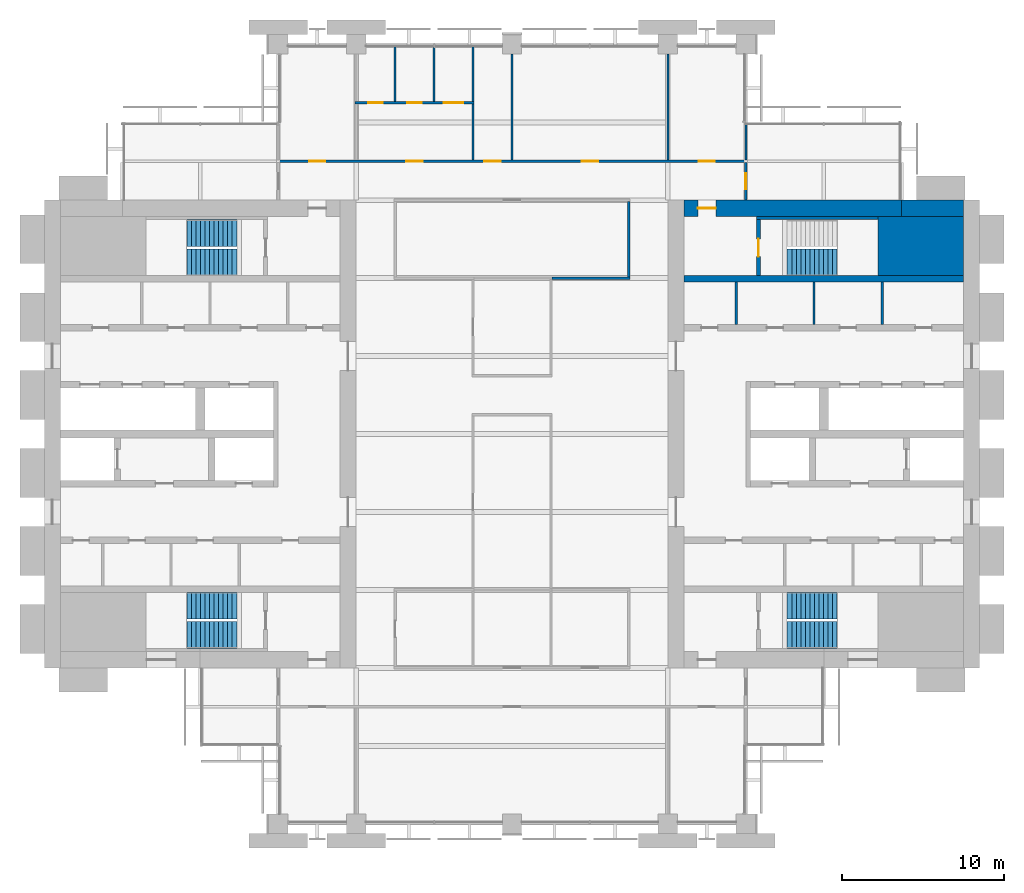
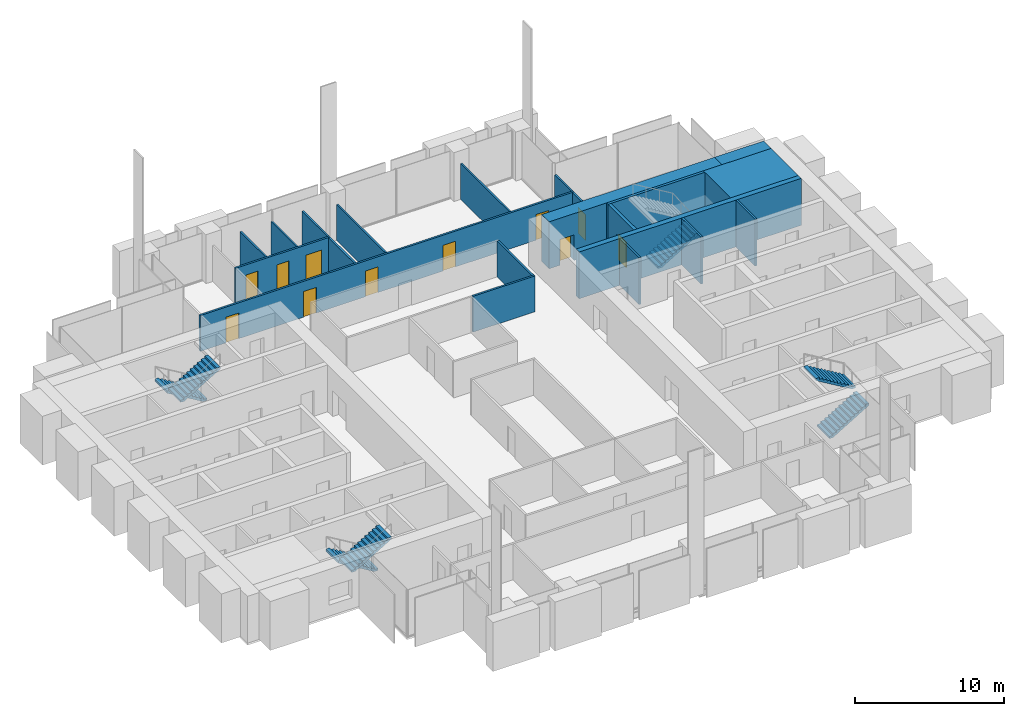
# One storey, part 12 of 14: 21 walls, 11 doors, 7 stair flights, 11 openings, 4 elements without a shape of their own.
"""IFC4 building model written with IfcOpenShell, lengths in metres."""

from ifc_helpers import new_model, si_unit, direction, frame, frame_2d, origin, place, context, subcontext, project, spatial, polyline, rectangle, outline, extrude, material, layer, layer_set, type_object, element, fill, aggregate, save


model = new_model("IFC4")

# Units and contexts
model_context = context("Model", 3, precision=1e-05, world=origin(), true_north=direction((0.0, 1.0)))
body_context = subcontext(model_context, "Body", "Model", "MODEL_VIEW")
ifc_project = project(units=[si_unit("LENGTHUNIT", "METRE"), si_unit("AREAUNIT", "SQUARE_METRE"), si_unit("VOLUMEUNIT", "CUBIC_METRE"), si_unit("PLANEANGLEUNIT", "RADIAN"), si_unit("MASSUNIT", "GRAM", prefix="KILO")], contexts=[model_context])

# Site, building, storey
site_placement = place(None, origin())
site = spatial("IfcSite", under=ifc_project, at=site_placement, CompositionType="ELEMENT")
building_placement = place(site_placement, origin())
building = spatial("IfcBuilding", under=site, at=building_placement, Name="Baori Bourse Tower", CompositionType="ELEMENT")
storey_placement = place(building_placement, frame((0.0, 0.0, 132.10009765625)))
storey = spatial("IfcBuildingStorey", under=building, at=storey_placement, Name="L28", CompositionType="ELEMENT", Elevation=132.10009765625)

# Walls
ifc_material_1 = material(Name="Concrete f'c 60 MPa", Category="concrete")
wall_type_1 = type_object("IfcWallType", Name="Core corner block f'c 60", PredefinedType="SHEAR", material=ifc_material_1)
wall_1_placement = place(storey_placement, frame((51.35009765625, 35.574951171875, 0.0), z_axis=(0.0, 0.0, 1.0), x_axis=(1.0, 0.0, 0.0)))
element("IfcWall", 1, at=wall_1_placement, inside=storey, type_object=wall_type_1, Name="Core wall E26", PredefinedType="SHEAR", context=body_context, shape_type="SweptSolid", body=[
    extrude(rectangle(XDim=5.25, YDim=3.64990234375, at=frame_2d((2.625, 0.0))), origin(), (0.0, 0.0, 1.0), 3.83984375),
])
ifc_material_2 = material(Name="Blockwork partition", Category="masonry")
ifc_layer_1 = layer(ifc_material_2, 0.14990234375)
ifc_layer_set_1 = layer_set([ifc_layer_1], Name="Core partition 150")
wall_type_2 = type_object("IfcWallType", Name="Core partition 150", PredefinedType="PARTITIONING", material=ifc_layer_set_1)
for number, where, z_axis, x_axis, name in (
    (2, (51.60009765625, 30.75, 0.0), (0.0, 0.0, 1.0), (0.0, 1.0, 0.0), "Partition wall E22"),
    (3, (47.39990234375, 30.75, 0.0), (0.0, 0.0, 1.0), (0.0, 1.0, 0.0), "Partition wall E23"),
    (4, (42.60009765625, 30.75, 0.0), (0.0, 0.0, 1.0), (0.0, 1.0, 0.0), "Partition wall E24"),
):
    element("IfcWall", number, at=place(storey_placement, frame(where, z_axis=z_axis, x_axis=x_axis)), inside=storey, type_object=wall_type_2, Name=name, PredefinedType="PARTITIONING", context=body_context, shape_type="SweptSolid", body=[
        extrude(rectangle(XDim=2.60009765625, YDim=0.14990234375, at=frame_2d((1.300048828125, 0.0))), origin(), (0.0, 0.0, 1.0), 3.83984375),
    ])
ifc_material_3 = material(Name="Concrete f'c 60 MPa", Category="concrete")
ifc_layer_2 = layer(ifc_material_3, 1.0)
ifc_layer_set_2 = layer_set([ifc_layer_2], Name="Core wall 1000 f'c 60")
wall_type_3 = type_object("IfcWallType", Name="Core wall 1000 f'c 60", PredefinedType="SHEAR", material=ifc_layer_set_2)
wall_2_placement = place(storey_placement, frame((52.800048828125, 37.89990234375, 0.0), z_axis=(0.0, 0.0, 1.0), x_axis=(1.0, 0.0, 0.0)))
element("IfcWall", 5, at=wall_2_placement, inside=storey, type_object=wall_type_3, Name="Core wall E29", PredefinedType="SHEAR", context=body_context, shape_type="SweptSolid", body=[
    extrude(rectangle(XDim=3.800048828125, YDim=1.0, at=frame_2d((1.89990234375, 0.0))), origin(), (0.0, 0.0, 1.0), 3.83984375),
])

# Wall, opening, door
wall_3_placement = place(storey_placement, frame((39.39990234375, 37.89990234375, 0.0), z_axis=(0.0, 0.0, 1.0), x_axis=(1.0, 0.0, 0.0)))
wall_3 = element("IfcWall", 6, at=wall_3_placement, inside=storey, type_object=wall_type_3, Name="Core wall E30", PredefinedType="SHEAR", context=body_context, shape_type="SweptSolid", body=[
    extrude(rectangle(XDim=13.400146484375, YDim=1.0, at=frame_2d((6.7001953125, 0.0))), origin(), (0.0, 0.0, 1.0), 3.83984375),
])
opening_1_placement = place(wall_3_placement, frame((0.85009765625, 0.0, 0.0)))
opening_1 = element("IfcOpeningElement", 7, at=opening_1_placement, cuts=wall_3, Name="Opening L28-D204", PredefinedType="OPENING", context=body_context, shape_type="SweptSolid", body=[
    extrude(rectangle(XDim=1.10009765625, YDim=2.10009765625, at=frame_2d((0.550048828125, 1.050048828125))), frame((0.0, 0.510009765625, 0.0), z_axis=(0.0, -1.0, 0.0), x_axis=(1.0, 0.0, 0.0)), (0.0, 0.0, 1.0), 1.02001953125),
])
ifc_material_4 = material(Name="Painted steel door", Category="steel")
door_type_1 = type_object("IfcDoorType", Name="Stair door 1100", OperationType="SINGLE_SWING_LEFT", PredefinedType="DOOR", material=ifc_material_4)
door_1_placement = place(opening_1_placement, origin())
door_1 = element("IfcDoor", 8, at=door_1_placement, inside=storey, type_object=door_type_1, Name="Stair vestibule door B E L28", OperationType="SINGLE_SWING_LEFT", OverallHeight=2.10009765625, OverallWidth=1.10009765625, PredefinedType="DOOR", context=body_context, shape_type="SweptSolid", body=[
    extrude(rectangle(XDim=1.10009765625, YDim=2.10009765625, at=frame_2d((0.550048828125, 1.050048828125))), frame((0.0, 0.02490234375, 0.0), z_axis=(0.0, -1.0, 0.0), x_axis=(1.0, 0.0, 0.0)), (0.0, 0.0, 1.0), 0.050048828125),
])
fill(opening_1, door_1)

# Wall
ifc_material_5 = material(Name="Gypsum board partition")
ifc_layer_3 = layer(ifc_material_5, 0.14990234375)
ifc_layer_set_3 = layer_set([ifc_layer_3], Name="Corridor partition 150")
wall_type_4 = type_object("IfcWallType", Name="Corridor partition 150", PredefinedType="PARTITIONING", material=ifc_layer_set_3)
wall_4_placement = place(storey_placement, frame((31.27490234375, 33.60009765625, 0.0), z_axis=(0.0, 0.0, 1.0), x_axis=(1.0, 0.0, 0.0)))
element("IfcWall", 9, at=wall_4_placement, inside=storey, type_object=wall_type_4, Name="Partition", PredefinedType="PARTITIONING", context=body_context, shape_type="SweptSolid", body=[
    extrude(rectangle(XDim=4.800048828125, YDim=0.14990234375, at=frame_2d((2.39990234375, 0.0))), origin(), (0.0, 0.0, 1.0), 2.935546875),
])

# Wall, openings, doors
wall_5_placement = place(storey_placement, frame((14.324951171875, 40.800048828125, 0.0), z_axis=(0.0, 0.0, 1.0), x_axis=(1.0, 0.0, 0.0)))
wall_5 = element("IfcWall", 10, at=wall_5_placement, inside=storey, type_object=wall_type_4, Name="Partition", PredefinedType="PARTITIONING", context=body_context, shape_type="SweptSolid", body=[
    extrude(rectangle(XDim=28.949951171875, YDim=0.14990234375, at=frame_2d((14.47509765625, 0.0))), origin(), (0.0, 0.0, 1.0), 2.935546875),
])
opening_2_placement = place(wall_5_placement, frame((1.97509765625, 0.0, 0.0)))
opening_2 = element("IfcOpeningElement", 11, at=opening_2_placement, cuts=wall_5, Name="Opening L28-D07", PredefinedType="OPENING", context=body_context, shape_type="SweptSolid", body=[
    extrude(rectangle(XDim=1.0, YDim=2.10009765625, at=frame_2d((0.5, 1.050048828125))), frame((0.0, 0.0849609375, 0.0), z_axis=(0.0, -1.0, 0.0), x_axis=(1.0, 0.0, 0.0)), (0.0, 0.0, 1.0), 0.169921875),
])
opening_3_placement = place(wall_5_placement, frame((7.97509765625, 0.0, 0.0)))
opening_3 = element("IfcOpeningElement", 12, at=opening_3_placement, cuts=wall_5, Name="Opening L28-D08", PredefinedType="OPENING", context=body_context, shape_type="SweptSolid", body=[
    extrude(rectangle(XDim=1.0, YDim=2.10009765625, at=frame_2d((0.5, 1.050048828125))), frame((0.0, 0.0849609375, 0.0), z_axis=(0.0, -1.0, 0.0), x_axis=(1.0, 0.0, 0.0)), (0.0, 0.0, 1.0), 0.169921875),
])
opening_4_placement = place(wall_5_placement, frame((12.77490234375, 0.0, 0.0)))
opening_4 = element("IfcOpeningElement", 13, at=opening_4_placement, cuts=wall_5, Name="Opening L28-D09", PredefinedType="OPENING", context=body_context, shape_type="SweptSolid", body=[
    extrude(rectangle(XDim=1.0, YDim=2.10009765625, at=frame_2d((0.5, 1.050048828125))), frame((0.0, 0.0849609375, 0.0), z_axis=(0.0, -1.0, 0.0), x_axis=(1.0, 0.0, 0.0)), (0.0, 0.0, 1.0), 0.169921875),
])
opening_5_placement = place(wall_5_placement, frame((18.77490234375, 0.0, 0.0)))
opening_5 = element("IfcOpeningElement", 14, at=opening_5_placement, cuts=wall_5, Name="Opening L28-D10", PredefinedType="OPENING", context=body_context, shape_type="SweptSolid", body=[
    extrude(rectangle(XDim=1.0, YDim=2.10009765625, at=frame_2d((0.5, 1.050048828125))), frame((0.0, 0.0849609375, 0.0), z_axis=(0.0, -1.0, 0.0), x_axis=(1.0, 0.0, 0.0)), (0.0, 0.0, 1.0), 0.169921875),
])
opening_6_placement = place(wall_5_placement, frame((25.97509765625, 0.0, 0.0)))
opening_6 = element("IfcOpeningElement", 15, at=opening_6_placement, cuts=wall_5, Name="Opening L28-D11", PredefinedType="OPENING", context=body_context, shape_type="SweptSolid", body=[
    extrude(rectangle(XDim=1.0, YDim=2.10009765625, at=frame_2d((0.5, 1.050048828125))), frame((0.0, 0.0849609375, 0.0), z_axis=(0.0, -1.0, 0.0), x_axis=(1.0, 0.0, 0.0)), (0.0, 0.0, 1.0), 0.169921875),
])
ifc_material_6 = material(Name="Timber door leaf", Category="wood")
door_type_2 = type_object("IfcDoorType", Name="Door 1000 x 2100", OperationType="SINGLE_SWING_LEFT", PredefinedType="DOOR", material=ifc_material_6)
door_2_placement = place(opening_2_placement, origin())
door_2 = element("IfcDoor", 16, at=door_2_placement, inside=storey, type_object=door_type_2, Name="Door", OperationType="SINGLE_SWING_RIGHT", OverallHeight=2.10009765625, OverallWidth=1.0, PredefinedType="DOOR", context=body_context, shape_type="SweptSolid", body=[
    extrude(rectangle(XDim=1.0, YDim=2.10009765625, at=frame_2d((0.5, 1.050048828125))), frame((0.0, 0.02490234375, 0.0), z_axis=(0.0, -1.0, 0.0), x_axis=(1.0, 0.0, 0.0)), (0.0, 0.0, 1.0), 0.050048828125),
])
fill(opening_2, door_2)
door_3_placement = place(opening_3_placement, origin())
door_3 = element("IfcDoor", 17, at=door_3_placement, inside=storey, type_object=door_type_2, Name="Door", OperationType="SINGLE_SWING_LEFT", OverallHeight=2.10009765625, OverallWidth=1.0, PredefinedType="DOOR", context=body_context, shape_type="SweptSolid", body=[
    extrude(rectangle(XDim=1.0, YDim=2.10009765625, at=frame_2d((0.5, 1.050048828125))), frame((0.0, 0.02490234375, 0.0), z_axis=(0.0, -1.0, 0.0), x_axis=(1.0, 0.0, 0.0)), (0.0, 0.0, 1.0), 0.050048828125),
])
fill(opening_3, door_3)
door_4_placement = place(opening_4_placement, origin())
door_4 = element("IfcDoor", 18, at=door_4_placement, inside=storey, type_object=door_type_2, Name="Door", OperationType="SINGLE_SWING_RIGHT", OverallHeight=2.10009765625, OverallWidth=1.0, PredefinedType="DOOR", context=body_context, shape_type="SweptSolid", body=[
    extrude(rectangle(XDim=1.0, YDim=2.10009765625, at=frame_2d((0.5, 1.050048828125))), frame((0.0, 0.02490234375, 0.0), z_axis=(0.0, -1.0, 0.0), x_axis=(1.0, 0.0, 0.0)), (0.0, 0.0, 1.0), 0.050048828125),
])
fill(opening_4, door_4)
door_5_placement = place(opening_5_placement, origin())
door_5 = element("IfcDoor", 19, at=door_5_placement, inside=storey, type_object=door_type_2, Name="Door", OperationType="SINGLE_SWING_LEFT", OverallHeight=2.10009765625, OverallWidth=1.0, PredefinedType="DOOR", context=body_context, shape_type="SweptSolid", body=[
    extrude(rectangle(XDim=1.0, YDim=2.10009765625, at=frame_2d((0.5, 1.050048828125))), frame((0.0, 0.02490234375, 0.0), z_axis=(0.0, -1.0, 0.0), x_axis=(1.0, 0.0, 0.0)), (0.0, 0.0, 1.0), 0.050048828125),
])
fill(opening_5, door_5)
door_6_placement = place(opening_6_placement, origin())
door_6 = element("IfcDoor", 20, at=door_6_placement, inside=storey, type_object=door_type_2, Name="Door", OperationType="SINGLE_SWING_LEFT", OverallHeight=2.10009765625, OverallWidth=1.0, PredefinedType="DOOR", context=body_context, shape_type="SweptSolid", body=[
    extrude(rectangle(XDim=1.0, YDim=2.10009765625, at=frame_2d((0.5, 1.050048828125))), frame((0.0, 0.02490234375, 0.0), z_axis=(0.0, -1.0, 0.0), x_axis=(1.0, 0.0, 0.0)), (0.0, 0.0, 1.0), 0.050048828125),
])
fill(opening_6, door_6)

wall_6_placement = place(storey_placement, frame((19.125, 44.39990234375, 0.0), z_axis=(0.0, 0.0, 1.0), x_axis=(1.0, 0.0, 0.0)))
wall_6 = element("IfcWall", 21, at=wall_6_placement, inside=storey, type_object=wall_type_4, Name="Partition", PredefinedType="PARTITIONING", context=body_context, shape_type="SweptSolid", body=[
    extrude(rectangle(XDim=7.35009765625, YDim=0.14990234375, at=frame_2d((3.675048828125, 0.0))), origin(), (0.0, 0.0, 1.0), 2.935546875),
])
opening_7_placement = place(wall_6_placement, frame((0.824951171875, 0.0, 0.0)))
opening_7 = element("IfcOpeningElement", 22, at=opening_7_placement, cuts=wall_6, Name="Opening L28-D12", PredefinedType="OPENING", context=body_context, shape_type="SweptSolid", body=[
    extrude(rectangle(XDim=0.89990234375, YDim=2.10009765625, at=frame_2d((0.449951171875, 1.050048828125))), frame((0.0, 0.0849609375, 0.0), z_axis=(0.0, -1.0, 0.0), x_axis=(1.0, 0.0, 0.0)), (0.0, 0.0, 1.0), 0.169921875),
])
opening_8_placement = place(wall_6_placement, frame((3.22509765625, 0.0, 0.0)))
opening_8 = element("IfcOpeningElement", 23, at=opening_8_placement, cuts=wall_6, Name="Opening L28-D13", PredefinedType="OPENING", context=body_context, shape_type="SweptSolid", body=[
    extrude(rectangle(XDim=0.89990234375, YDim=2.10009765625, at=frame_2d((0.449951171875, 1.050048828125))), frame((0.0, 0.0849609375, 0.0), z_axis=(0.0, -1.0, 0.0), x_axis=(1.0, 0.0, 0.0)), (0.0, 0.0, 1.0), 0.169921875),
])
opening_9_placement = place(wall_6_placement, frame((5.47509765625, 0.0, 0.0)))
opening_9 = element("IfcOpeningElement", 24, at=opening_9_placement, cuts=wall_6, Name="Opening L28-D14", PredefinedType="OPENING", context=body_context, shape_type="SweptSolid", body=[
    extrude(rectangle(XDim=1.199951171875, YDim=2.10009765625, at=frame_2d((0.60009765625, 1.050048828125))), frame((0.0, 0.0849609375, 0.0), z_axis=(0.0, -1.0, 0.0), x_axis=(1.0, 0.0, 0.0)), (0.0, 0.0, 1.0), 0.169921875),
])
ifc_material_7 = material(Name="Timber door leaf", Category="wood")
door_type_3 = type_object("IfcDoorType", Name="Door 1200 x 2100", OperationType="SINGLE_SWING_LEFT", PredefinedType="DOOR", material=ifc_material_7)
door_7_placement = place(opening_9_placement, origin())
door_7 = element("IfcDoor", 25, at=door_7_placement, inside=storey, type_object=door_type_3, Name="Door", OperationType="SINGLE_SWING_LEFT", OverallHeight=2.10009765625, OverallWidth=1.199951171875, PredefinedType="DOOR", context=body_context, shape_type="SweptSolid", body=[
    extrude(rectangle(XDim=1.199951171875, YDim=2.10009765625, at=frame_2d((0.60009765625, 1.050048828125))), frame((0.0, 0.02490234375, 0.0), z_axis=(0.0, -1.0, 0.0), x_axis=(1.0, 0.0, 0.0)), (0.0, 0.0, 1.0), 0.050048828125),
])
fill(opening_9, door_7)
ifc_material_8 = material(Name="Timber door leaf", Category="wood")
door_type_4 = type_object("IfcDoorType", Name="Door 900 x 2100", OperationType="SINGLE_SWING_LEFT", PredefinedType="DOOR", material=ifc_material_8)
door_8_placement = place(opening_7_placement, origin())
door_8 = element("IfcDoor", 26, at=door_8_placement, inside=storey, type_object=door_type_4, Name="Door", OperationType="SINGLE_SWING_RIGHT", OverallHeight=2.10009765625, OverallWidth=0.89990234375, PredefinedType="DOOR", context=body_context, shape_type="SweptSolid", body=[
    extrude(rectangle(XDim=0.89990234375, YDim=2.10009765625, at=frame_2d((0.449951171875, 1.050048828125))), frame((0.0, 0.02490234375, 0.0), z_axis=(0.0, -1.0, 0.0), x_axis=(1.0, 0.0, 0.0)), (0.0, 0.0, 1.0), 0.050048828125),
])
fill(opening_7, door_8)
door_9_placement = place(opening_8_placement, origin())
door_9 = element("IfcDoor", 27, at=door_9_placement, inside=storey, type_object=door_type_4, Name="Door", OperationType="SINGLE_SWING_RIGHT", OverallHeight=2.10009765625, OverallWidth=0.89990234375, PredefinedType="DOOR", context=body_context, shape_type="SweptSolid", body=[
    extrude(rectangle(XDim=0.89990234375, YDim=2.10009765625, at=frame_2d((0.449951171875, 1.050048828125))), frame((0.0, 0.02490234375, 0.0), z_axis=(0.0, -1.0, 0.0), x_axis=(1.0, 0.0, 0.0)), (0.0, 0.0, 1.0), 0.050048828125),
])
fill(opening_8, door_9)

# Walls
wall_7_placement = place(storey_placement, frame((26.39990234375, 40.875, 0.0), z_axis=(0.0, 0.0, 1.0), x_axis=(0.0, 1.0, 0.0)))
element("IfcWall", 28, at=wall_7_placement, inside=storey, type_object=wall_type_4, Name="Partition", PredefinedType="PARTITIONING", context=body_context, shape_type="SweptSolid", body=[
    extrude(rectangle(XDim=3.449951171875, YDim=0.14990234375, at=frame_2d((1.72509765625, 0.0))), origin(), (0.0, 0.0, 1.0), 2.935546875),
])
wall_8_placement = place(storey_placement, frame((36.0, 33.675048828125, 0.0), z_axis=(0.0, 0.0, 1.0), x_axis=(0.0, 1.0, 0.0)))
element("IfcWall", 29, at=wall_8_placement, inside=storey, type_object=wall_type_4, Name="Partition", PredefinedType="PARTITIONING", context=body_context, shape_type="SweptSolid", body=[
    extrude(rectangle(XDim=4.64990234375, YDim=0.14990234375, at=frame_2d((2.324951171875, 0.0))), origin(), (0.0, 0.0, 1.0), 2.935546875),
])

# Wall, opening, door
wall_9_placement = place(storey_placement, frame((43.199951171875, 38.39990234375, 0.0), z_axis=(0.0, 0.0, 1.0), x_axis=(0.0, 1.0, 0.0)))
wall_9 = element("IfcWall", 30, at=wall_9_placement, inside=storey, type_object=wall_type_4, Name="Partition", PredefinedType="PARTITIONING", context=body_context, shape_type="SweptSolid", body=[
    extrude(rectangle(XDim=2.3251953125, YDim=0.14990234375, at=frame_2d((1.16259765625, 0.0))), origin(), (0.0, 0.0, 1.0), 2.935546875),
])
opening_10_placement = place(wall_9_placement, frame((0.66259765625, 0.0, 0.0)))
opening_10 = element("IfcOpeningElement", 31, at=opening_10_placement, cuts=wall_9, Name="Opening L28-D21", PredefinedType="OPENING", context=body_context, shape_type="SweptSolid", body=[
    extrude(rectangle(XDim=1.0, YDim=2.10009765625, at=frame_2d((0.5, 1.050048828125))), frame((0.0, 0.0849609375, 0.0), z_axis=(0.0, -1.0, 0.0), x_axis=(1.0, 0.0, 0.0)), (0.0, 0.0, 1.0), 0.169921875),
])
door_10_placement = place(opening_10_placement, origin())
door_10 = element("IfcDoor", 32, at=door_10_placement, inside=storey, type_object=door_type_2, Name="Door", OperationType="SINGLE_SWING_LEFT", OverallHeight=2.10009765625, OverallWidth=1.0, PredefinedType="DOOR", context=body_context, shape_type="SweptSolid", body=[
    extrude(rectangle(XDim=1.0, YDim=2.10009765625, at=frame_2d((0.5, 1.050048828125))), frame((0.0, 0.02490234375, 0.0), z_axis=(0.0, -1.0, 0.0), x_axis=(1.0, 0.0, 0.0)), (0.0, 0.0, 1.0), 0.050048828125),
])
fill(opening_10, door_10)

# Walls
ifc_material_9 = material(Name="Gypsum board partition")
ifc_layer_4 = layer(ifc_material_9, 0.125)
ifc_layer_set_4 = layer_set([ifc_layer_4], Name="Partition 125")
wall_type_5 = type_object("IfcWallType", Name="Partition 125", PredefinedType="PARTITIONING", material=ifc_layer_set_4)
for number, where, z_axis, x_axis, name in (
    (33, (21.60009765625, 44.47509765625, 0.0), (0.0, 0.0, 1.0), (0.0, 1.0, 0.0), "Partition"),
    (34, (24.0, 44.47509765625, 0.0), (0.0, 0.0, 1.0), (0.0, 1.0, 0.0), "Partition"),
    (35, (26.39990234375, 44.47509765625, 0.0), (0.0, 0.0, 1.0), (0.0, 1.0, 0.0), "Partition"),
):
    element("IfcWall", number, at=place(storey_placement, frame(where, z_axis=z_axis, x_axis=x_axis)), inside=storey, type_object=wall_type_5, Name=name, PredefinedType="PARTITIONING", context=body_context, shape_type="SweptSolid", body=[
        extrude(rectangle(XDim=3.4248046875, YDim=0.125, at=frame_2d((1.71240234375, 0.0))), origin(), (0.0, 0.0, 1.0), 2.935546875),
    ])
for number, where, z_axis, x_axis, name in (
    (36, (28.800048828125, 40.875, 0.0), (0.0, 0.0, 1.0), (0.0, 1.0, 0.0), "Partition"),
    (37, (38.39990234375, 40.875, 0.0), (0.0, 0.0, 1.0), (0.0, 1.0, 0.0), "Partition"),
):
    element("IfcWall", number, at=place(storey_placement, frame(where, z_axis=z_axis, x_axis=x_axis)), inside=storey, type_object=wall_type_5, Name=name, PredefinedType="PARTITIONING", context=body_context, shape_type="SweptSolid", body=[
        extrude(rectangle(XDim=6.52490234375, YDim=0.125, at=frame_2d((3.262451171875, 0.0))), origin(), (0.0, 0.0, 1.0), 2.935546875),
    ])
wall_10_placement = place(storey_placement, frame((43.199951171875, 40.875, 0.0), z_axis=(0.0, 0.0, 1.0), x_axis=(0.0, 1.0, 0.0)))
element("IfcWall", 38, at=wall_10_placement, inside=storey, type_object=wall_type_5, Name="Partition", PredefinedType="PARTITIONING", context=body_context, shape_type="SweptSolid", body=[
    extrude(rectangle(XDim=2.22509765625, YDim=0.125, at=frame_2d((1.112548828125, 0.0))), origin(), (0.0, 0.0, 1.0), 2.935546875),
])
ifc_material_10 = material(Name="Concrete f'c 60 MPa", Category="concrete")
ifc_layer_5 = layer(ifc_material_10, 0.199951171875)
ifc_layer_set_5 = layer_set([ifc_layer_5], Name="Shaft wall 200 f'c 60")
wall_type_6 = type_object("IfcWallType", Name="Shaft wall 200 f'c 60", PredefinedType="SHEAR", material=ifc_layer_set_5)
wall_11_placement = place(storey_placement, frame((43.85009765625, 37.300048828125, 0.0), z_axis=(0.0, 0.0, 1.0), x_axis=(1.0, 0.0, 0.0)))
element("IfcWall", 39, at=wall_11_placement, inside=storey, type_object=wall_type_6, Name="Core wall E28", PredefinedType="SHEAR", context=body_context, shape_type="SweptSolid", body=[
    extrude(rectangle(XDim=7.5, YDim=0.199951171875, at=frame_2d((3.75, 0.0))), origin(), (0.0, 0.0, 1.0), 3.83984375),
])

# Wall, opening, door
ifc_material_11 = material(Name="Concrete f'c 60 MPa", Category="concrete")
ifc_layer_6 = layer(ifc_material_11, 0.25)
ifc_layer_set_6 = layer_set([ifc_layer_6], Name="Shaft wall 250 f'c 60")
wall_type_7 = type_object("IfcWallType", Name="Shaft wall 250 f'c 60", PredefinedType="SHEAR", material=ifc_layer_set_6)
wall_12_placement = place(storey_placement, frame((43.97509765625, 33.75, 0.0), z_axis=(0.0, 0.0, 1.0), x_axis=(0.0, 1.0, 0.0)))
wall_12 = element("IfcWall", 40, at=wall_12_placement, inside=storey, type_object=wall_type_7, Name="Core wall E27", PredefinedType="SHEAR", context=body_context, shape_type="SweptSolid", body=[
    extrude(rectangle(XDim=3.449951171875, YDim=0.25, at=frame_2d((1.72509765625, 0.0))), origin(), (0.0, 0.0, 1.0), 3.83984375),
])
opening_11_placement = place(wall_12_placement, frame((1.175048828125, 0.0, 0.0)))
opening_11 = element("IfcOpeningElement", 41, at=opening_11_placement, cuts=wall_12, Name="Opening L28-D203", PredefinedType="OPENING", context=body_context, shape_type="SweptSolid", body=[
    extrude(rectangle(XDim=1.10009765625, YDim=2.10009765625, at=frame_2d((0.550048828125, 1.050048828125))), frame((0.0, 0.135009765625, 0.0), z_axis=(0.0, -1.0, 0.0), x_axis=(1.0, 0.0, 0.0)), (0.0, 0.0, 1.0), 0.27001953125),
])
door_11_placement = place(opening_11_placement, origin())
door_11 = element("IfcDoor", 42, at=door_11_placement, inside=storey, type_object=door_type_1, Name="Stair door B E L28", OperationType="SINGLE_SWING_LEFT", OverallHeight=2.10009765625, OverallWidth=1.10009765625, PredefinedType="DOOR", context=body_context, shape_type="SweptSolid", body=[
    extrude(rectangle(XDim=1.10009765625, YDim=2.10009765625, at=frame_2d((0.550048828125, 1.050048828125))), frame((0.0, 0.02490234375, 0.0), z_axis=(0.0, -1.0, 0.0), x_axis=(1.0, 0.0, 0.0)), (0.0, 0.0, 1.0), 0.050048828125),
])
fill(opening_11, door_11)

# Wall
ifc_material_12 = material(Name="Concrete f'c 60 MPa", Category="concrete")
ifc_layer_7 = layer(ifc_material_12, 0.39990234375)
ifc_layer_set_7 = layer_set([ifc_layer_7], Name="Shaft wall 400 f'c 60")
wall_type_8 = type_object("IfcWallType", Name="Shaft wall 400 f'c 60", PredefinedType="SHEAR", material=ifc_layer_set_7)
wall_13_placement = place(storey_placement, frame((39.39990234375, 33.550048828125, 0.0), z_axis=(0.0, 0.0, 1.0), x_axis=(1.0, 0.0, 0.0)))
element("IfcWall", 43, at=wall_13_placement, inside=storey, type_object=wall_type_8, Name="Core wall E25", PredefinedType="SHEAR", context=body_context, shape_type="SweptSolid", body=[
    extrude(rectangle(XDim=17.2001953125, YDim=0.39990234375, at=frame_2d((8.60009765625, 0.0))), origin(), (0.0, 0.0, 1.0), 3.83984375),
])

# Stair, stair flights
ifc_material_13 = material(Name="Concrete f'c 50 MPa", Category="concrete")
stair_type = type_object("IfcStairType", Name="Core stair", PredefinedType="HALF_TURN_STAIR", material=ifc_material_13)
stair_1_placement = place(storey_placement, origin())
stair_1 = element("IfcStair", 44, at=stair_1_placement, inside=storey, type_object=stair_type, Name="L28 Stair WA", PredefinedType="HALF_TURN_STAIR")
ifc_material_14 = material(Name="Concrete f'c 50 MPa", Category="concrete")
stair_flight_type = type_object("IfcStairFlightType", Name="Core stair flight", PredefinedType="STRAIGHT", material=ifc_material_14)
stair_flight_1_placement = place(storey_placement, frame((11.85009765625, 13.425048828125, 0.0), z_axis=(0.0, 0.0, 1.0), x_axis=(-1.0, 0.0, 0.0)))
stair_flight_1 = element("IfcStairFlight", 45, at=stair_flight_1_placement, type_object=stair_flight_type, Name="ST1 flight 1", NumberOfRisers=12, NumberOfTreads=11, PredefinedType="STRAIGHT", RiserHeight=0.166666667, TreadLength=0.28, context=body_context, shape_type="SweptSolid", body=[
    extrude(outline(polyline([(0.0, 0.0), (0.0, 0.166748046875), (0.280029296875, 0.166748046875), (0.280029296875, 0.333251953125), (0.56005859375, 0.333251953125), (0.56005859375, 0.5), (0.840087890625, 0.5), (0.840087890625, 0.666748046875), (1.1201171875, 0.666748046875), (1.1201171875, 0.833251953125), (1.39990234375, 0.833251953125), (1.39990234375, 1.0), (1.679931640625, 1.0), (1.679931640625, 1.166748046875), (1.9599609375, 1.166748046875), (1.9599609375, 1.333251953125), (2.239990234375, 1.333251953125), (2.239990234375, 1.5), (2.52001953125, 1.5), (2.52001953125, 1.666748046875), (2.800048828125, 1.666748046875), (2.800048828125, 1.833251953125), (3.080078125, 1.833251953125), (3.080078125, 2.0), (3.080078125, 1.658935546875), (0.29296875, 0.0), (0.0, 0.0)])), frame((0.0, 0.824951171875, 0.0), z_axis=(0.0, -1.0, 0.0), x_axis=(1.0, 0.0, 0.0)), (0.0, 0.0, 1.0), 1.64990234375),
])
stair_flight_2_placement = place(storey_placement, frame((8.77001953125, 11.625, 2.0), z_axis=(0.0, 0.0, 1.0), x_axis=(1.0, 0.0, 0.0)))
stair_flight_2 = element("IfcStairFlight", 46, at=stair_flight_2_placement, type_object=stair_flight_type, Name="ST1 flight 2", NumberOfRisers=12, NumberOfTreads=11, PredefinedType="STRAIGHT", RiserHeight=0.166666667, TreadLength=0.28, context=body_context, shape_type="SweptSolid", body=[
    extrude(outline(polyline([(0.0, 0.0), (0.0, 0.166748046875), (0.280029296875, 0.166748046875), (0.280029296875, 0.333251953125), (0.56005859375, 0.333251953125), (0.56005859375, 0.5), (0.840087890625, 0.5), (0.840087890625, 0.666748046875), (1.1201171875, 0.666748046875), (1.1201171875, 0.833251953125), (1.39990234375, 0.833251953125), (1.39990234375, 1.0), (1.679931640625, 1.0), (1.679931640625, 1.166748046875), (1.9599609375, 1.166748046875), (1.9599609375, 1.333251953125), (2.239990234375, 1.333251953125), (2.239990234375, 1.5), (2.52001953125, 1.5), (2.52001953125, 1.666748046875), (2.800048828125, 1.666748046875), (2.800048828125, 1.833251953125), (3.080078125, 1.833251953125), (3.080078125, 2.0), (3.080078125, 1.658935546875), (0.29296875, 0.0), (0.0, 0.0)])), frame((0.0, 0.824951171875, 0.0), z_axis=(0.0, -1.0, 0.0), x_axis=(1.0, 0.0, 0.0)), (0.0, 0.0, 1.0), 1.64990234375),
])
aggregate(stair_1, [stair_flight_1, stair_flight_2])

stair_2_placement = place(storey_placement, origin())
stair_2 = element("IfcStair", 47, at=stair_2_placement, inside=storey, type_object=stair_type, Name="L28 Stair WB", PredefinedType="HALF_TURN_STAIR")
stair_flight_3_placement = place(storey_placement, frame((11.85009765625, 36.375, 0.0), z_axis=(0.0, 0.0, 1.0), x_axis=(-1.0, 0.0, 0.0)))
stair_flight_3 = element("IfcStairFlight", 48, at=stair_flight_3_placement, type_object=stair_flight_type, Name="ST2 flight 1", NumberOfRisers=12, NumberOfTreads=11, PredefinedType="STRAIGHT", RiserHeight=0.166666667, TreadLength=0.28, context=body_context, shape_type="SweptSolid", body=[
    extrude(outline(polyline([(0.0, 0.0), (0.0, 0.166748046875), (0.280029296875, 0.166748046875), (0.280029296875, 0.333251953125), (0.56005859375, 0.333251953125), (0.56005859375, 0.5), (0.840087890625, 0.5), (0.840087890625, 0.666748046875), (1.1201171875, 0.666748046875), (1.1201171875, 0.833251953125), (1.39990234375, 0.833251953125), (1.39990234375, 1.0), (1.679931640625, 1.0), (1.679931640625, 1.166748046875), (1.9599609375, 1.166748046875), (1.9599609375, 1.333251953125), (2.239990234375, 1.333251953125), (2.239990234375, 1.5), (2.52001953125, 1.5), (2.52001953125, 1.666748046875), (2.800048828125, 1.666748046875), (2.800048828125, 1.833251953125), (3.080078125, 1.833251953125), (3.080078125, 2.0), (3.080078125, 1.658935546875), (0.29296875, 0.0), (0.0, 0.0)])), frame((0.0, 0.824951171875, 0.0), z_axis=(0.0, -1.0, 0.0), x_axis=(1.0, 0.0, 0.0)), (0.0, 0.0, 1.0), 1.64990234375),
])
stair_flight_4_placement = place(storey_placement, frame((8.77001953125, 34.574951171875, 2.0), z_axis=(0.0, 0.0, 1.0), x_axis=(1.0, 0.0, 0.0)))
stair_flight_4 = element("IfcStairFlight", 49, at=stair_flight_4_placement, type_object=stair_flight_type, Name="ST2 flight 2", NumberOfRisers=12, NumberOfTreads=11, PredefinedType="STRAIGHT", RiserHeight=0.166666667, TreadLength=0.28, context=body_context, shape_type="SweptSolid", body=[
    extrude(outline(polyline([(0.0, 0.0), (0.0, 0.166748046875), (0.280029296875, 0.166748046875), (0.280029296875, 0.333251953125), (0.56005859375, 0.333251953125), (0.56005859375, 0.5), (0.840087890625, 0.5), (0.840087890625, 0.666748046875), (1.1201171875, 0.666748046875), (1.1201171875, 0.833251953125), (1.39990234375, 0.833251953125), (1.39990234375, 1.0), (1.679931640625, 1.0), (1.679931640625, 1.166748046875), (1.9599609375, 1.166748046875), (1.9599609375, 1.333251953125), (2.239990234375, 1.333251953125), (2.239990234375, 1.5), (2.52001953125, 1.5), (2.52001953125, 1.666748046875), (2.800048828125, 1.666748046875), (2.800048828125, 1.833251953125), (3.080078125, 1.833251953125), (3.080078125, 2.0), (3.080078125, 1.658935546875), (0.29296875, 0.0), (0.0, 0.0)])), frame((0.0, 0.824951171875, 0.0), z_axis=(0.0, -1.0, 0.0), x_axis=(1.0, 0.0, 0.0)), (0.0, 0.0, 1.0), 1.64990234375),
])
aggregate(stair_2, [stair_flight_3, stair_flight_4])

stair_3_placement = place(storey_placement, origin())
stair_3 = element("IfcStair", 50, at=stair_3_placement, inside=storey, type_object=stair_type, Name="L28 Stair EA", PredefinedType="HALF_TURN_STAIR")
stair_flight_5_placement = place(storey_placement, frame((45.75, 11.625, 0.0), z_axis=(0.0, 0.0, 1.0), x_axis=(1.0, 0.0, 0.0)))
stair_flight_5 = element("IfcStairFlight", 51, at=stair_flight_5_placement, type_object=stair_flight_type, Name="ST3 flight 1", NumberOfRisers=12, NumberOfTreads=11, PredefinedType="STRAIGHT", RiserHeight=0.166666667, TreadLength=0.28, context=body_context, shape_type="SweptSolid", body=[
    extrude(outline(polyline([(0.0, 0.0), (0.0, 0.166748046875), (0.280029296875, 0.166748046875), (0.280029296875, 0.333251953125), (0.56005859375, 0.333251953125), (0.56005859375, 0.5), (0.840087890625, 0.5), (0.840087890625, 0.666748046875), (1.1201171875, 0.666748046875), (1.1201171875, 0.833251953125), (1.39990234375, 0.833251953125), (1.39990234375, 1.0), (1.679931640625, 1.0), (1.679931640625, 1.166748046875), (1.9599609375, 1.166748046875), (1.9599609375, 1.333251953125), (2.239990234375, 1.333251953125), (2.239990234375, 1.5), (2.52001953125, 1.5), (2.52001953125, 1.666748046875), (2.800048828125, 1.666748046875), (2.800048828125, 1.833251953125), (3.080078125, 1.833251953125), (3.080078125, 2.0), (3.080078125, 1.658935546875), (0.29296875, 0.0), (0.0, 0.0)])), frame((0.0, 0.824951171875, 0.0), z_axis=(0.0, -1.0, 0.0), x_axis=(1.0, 0.0, 0.0)), (0.0, 0.0, 1.0), 1.64990234375),
])
stair_flight_6_placement = place(storey_placement, frame((48.830078125, 13.425048828125, 2.0), z_axis=(0.0, 0.0, 1.0), x_axis=(-1.0, 0.0, 0.0)))
stair_flight_6 = element("IfcStairFlight", 52, at=stair_flight_6_placement, type_object=stair_flight_type, Name="ST3 flight 2", NumberOfRisers=12, NumberOfTreads=11, PredefinedType="STRAIGHT", RiserHeight=0.166666667, TreadLength=0.28, context=body_context, shape_type="SweptSolid", body=[
    extrude(outline(polyline([(0.0, 0.0), (0.0, 0.166748046875), (0.280029296875, 0.166748046875), (0.280029296875, 0.333251953125), (0.56005859375, 0.333251953125), (0.56005859375, 0.5), (0.840087890625, 0.5), (0.840087890625, 0.666748046875), (1.1201171875, 0.666748046875), (1.1201171875, 0.833251953125), (1.39990234375, 0.833251953125), (1.39990234375, 1.0), (1.679931640625, 1.0), (1.679931640625, 1.166748046875), (1.9599609375, 1.166748046875), (1.9599609375, 1.333251953125), (2.239990234375, 1.333251953125), (2.239990234375, 1.5), (2.52001953125, 1.5), (2.52001953125, 1.666748046875), (2.800048828125, 1.666748046875), (2.800048828125, 1.833251953125), (3.080078125, 1.833251953125), (3.080078125, 2.0), (3.080078125, 1.658935546875), (0.29296875, 0.0), (0.0, 0.0)])), frame((0.0, 0.824951171875, 0.0), z_axis=(0.0, -1.0, 0.0), x_axis=(1.0, 0.0, 0.0)), (0.0, 0.0, 1.0), 1.64990234375),
])
aggregate(stair_3, [stair_flight_5, stair_flight_6])

# Stair, stair flight
stair_4_placement = place(storey_placement, origin())
stair_4 = element("IfcStair", 53, at=stair_4_placement, inside=storey, type_object=stair_type, Name="L28 Stair EB", PredefinedType="HALF_TURN_STAIR")
stair_flight_7_placement = place(storey_placement, frame((45.75, 34.574951171875, 0.0), z_axis=(0.0, 0.0, 1.0), x_axis=(1.0, 0.0, 0.0)))
stair_flight_7 = element("IfcStairFlight", 54, at=stair_flight_7_placement, type_object=stair_flight_type, Name="ST4 flight 1", NumberOfRisers=12, NumberOfTreads=11, PredefinedType="STRAIGHT", RiserHeight=0.166666667, TreadLength=0.28, context=body_context, shape_type="SweptSolid", body=[
    extrude(outline(polyline([(0.0, 0.0), (0.0, 0.166748046875), (0.280029296875, 0.166748046875), (0.280029296875, 0.333251953125), (0.56005859375, 0.333251953125), (0.56005859375, 0.5), (0.840087890625, 0.5), (0.840087890625, 0.666748046875), (1.1201171875, 0.666748046875), (1.1201171875, 0.833251953125), (1.39990234375, 0.833251953125), (1.39990234375, 1.0), (1.679931640625, 1.0), (1.679931640625, 1.166748046875), (1.9599609375, 1.166748046875), (1.9599609375, 1.333251953125), (2.239990234375, 1.333251953125), (2.239990234375, 1.5), (2.52001953125, 1.5), (2.52001953125, 1.666748046875), (2.800048828125, 1.666748046875), (2.800048828125, 1.833251953125), (3.080078125, 1.833251953125), (3.080078125, 2.0), (3.080078125, 1.658935546875), (0.29296875, 0.0), (0.0, 0.0)])), frame((0.0, 0.824951171875, 0.0), z_axis=(0.0, -1.0, 0.0), x_axis=(1.0, 0.0, 0.0)), (0.0, 0.0, 1.0), 1.64990234375),
])
aggregate(stair_4, [stair_flight_7])

save(model, "model.ifc")
